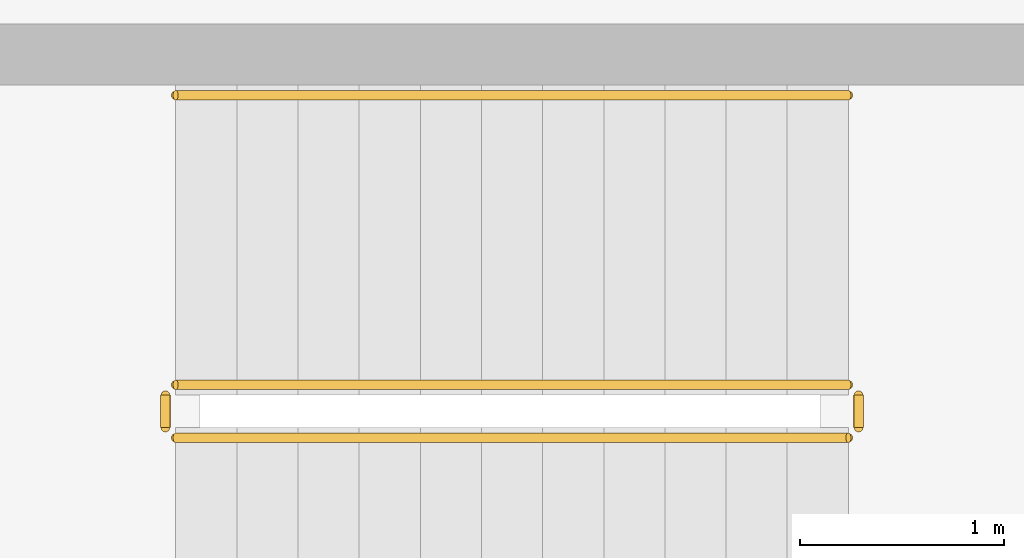
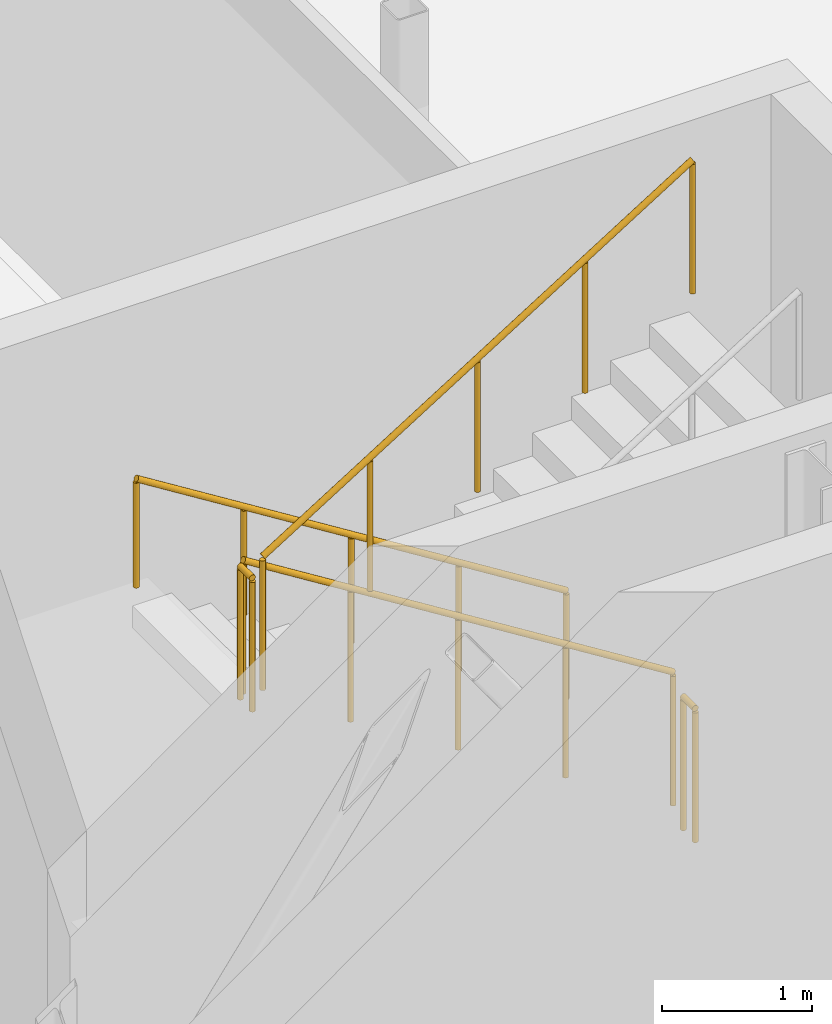
# One storey, part 83 of 100: 5 railings.
"""IFC4 building model written with IfcOpenShell, lengths in metres."""

from ifc_helpers import new_model, si_unit, direction, frame, origin, origin_2d, place, context, subcontext, project, spatial, circle, extrude, material, type_object, element, save


model = new_model("IFC4")

# Units and contexts
model_context = context("Model", 3, precision=1e-05, world=origin(), true_north=direction((0.0, 1.0)))
body_context = subcontext(model_context, "Body", "Model", "MODEL_VIEW")
ifc_project = project(units=[si_unit("LENGTHUNIT", "METRE"), si_unit("AREAUNIT", "SQUARE_METRE"), si_unit("VOLUMEUNIT", "CUBIC_METRE"), si_unit("PLANEANGLEUNIT", "RADIAN"), si_unit("MASSUNIT", "GRAM", prefix="KILO")], contexts=[model_context])

# Site, building, storey
site_placement = place(None, origin())
site = spatial("IfcSite", under=ifc_project, at=site_placement, CompositionType="ELEMENT")
building_placement = place(site_placement, origin())
building = spatial("IfcBuilding", under=site, at=building_placement, Name="Cymarion Research Institute", CompositionType="ELEMENT")
storey_placement = place(building_placement, frame((0.0, 0.0, 9.300048828125)))
storey = spatial("IfcBuildingStorey", under=building, at=storey_placement, Name="L02", CompositionType="ELEMENT", Elevation=9.300048828125)

# Railings
ifc_material = material(Name="Steel S355", Category="steel")
railing_type_1 = type_object("IfcRailingType", Name="PAINTED STEEL STAIR GUARDRAIL GR1 1100MM", PredefinedType="GUARDRAIL", material=ifc_material)
railing_1_placement = place(storey_placement, frame((62.60009765625, 7.929931640625, 0.1875)))
element("IfcRailing", 1, at=railing_1_placement, inside=storey, type_object=railing_type_1, Name="L02 ST3 stair guard 1", PredefinedType="GUARDRAIL", context=body_context, shape_type="SweptSolid", body=[
    extrude(circle(Radius=0.02392578125, at=origin_2d()), frame((0.0, 0.0, 1.076171875), z_axis=(-0.848001828478, 0.0, 0.529993300805), x_axis=(0.0, -1.0, 0.0)), (0.0, 0.0, 1.0), 3.8916015625),
    extrude(circle(Radius=0.02099609375, at=origin_2d()), origin(), (0.0, 0.0, 1.0), 1.052001953125),
    extrude(circle(Radius=0.02099609375, at=origin_2d()), frame((-0.824951171875, 0.0, 0.515625)), (0.0, 0.0, 1.0), 1.052001953125),
    extrude(circle(Radius=0.02099609375, at=origin_2d()), frame((-1.64990234375, 0.0, 1.03125)), (0.0, 0.0, 1.0), 1.052001953125),
    extrude(circle(Radius=0.02099609375, at=origin_2d()), frame((-2.47509765625, 0.0, 1.546875)), (0.0, 0.0, 1.0), 1.052001953125),
    extrude(circle(Radius=0.02099609375, at=origin_2d()), frame((-3.300048828125, 0.0, 2.0625)), (0.0, 0.0, 1.0), 1.052001953125),
])
railing_2_placement = place(storey_placement, frame((59.25, 7.8798828125, 2.25)))
element("IfcRailing", 2, at=railing_2_placement, inside=storey, type_object=railing_type_1, Name="L02 ST3 stair guard 2", PredefinedType="GUARDRAIL", context=body_context, shape_type="SweptSolid", body=[
    extrude(circle(Radius=0.02392578125, at=origin_2d()), frame((0.0, 0.0, 1.076171875), z_axis=(0.0, -1.0, 0.0), x_axis=(1.0, 0.0, 0.0)), (0.0, 0.0, 1.0), 0.159912109375),
    extrude(circle(Radius=0.02099609375, at=origin_2d()), origin(), (0.0, 0.0, 1.0), 1.052001953125),
    extrude(circle(Radius=0.02099609375, at=origin_2d()), frame((0.0, -0.159912109375, 0.0)), (0.0, 0.0, 1.0), 1.052001953125),
])
railing_3_placement = place(storey_placement, frame((59.300048828125, 7.669921875, 2.4375)))
element("IfcRailing", 3, at=railing_3_placement, inside=storey, type_object=railing_type_1, Name="L02 ST3 stair guard 3", PredefinedType="GUARDRAIL", context=body_context, shape_type="SweptSolid", body=[
    extrude(circle(Radius=0.02392578125, at=origin_2d()), frame((0.0, 0.0, 1.076171875), z_axis=(0.848001828478, 0.0, 0.529993300805), x_axis=(0.0, 1.0, 0.0)), (0.0, 0.0, 1.0), 3.8916015625),
    extrude(circle(Radius=0.02099609375, at=origin_2d()), origin(), (0.0, 0.0, 1.0), 1.052001953125),
    extrude(circle(Radius=0.02099609375, at=origin_2d()), frame((0.824951171875, 0.0, 0.515625)), (0.0, 0.0, 1.0), 1.052001953125),
    extrude(circle(Radius=0.02099609375, at=origin_2d()), frame((1.64990234375, 0.0, 1.03125)), (0.0, 0.0, 1.0), 1.052001953125),
    extrude(circle(Radius=0.02099609375, at=origin_2d()), frame((2.47509765625, 0.0, 1.546875)), (0.0, 0.0, 1.0), 1.052001953125),
    extrude(circle(Radius=0.02099609375, at=origin_2d()), frame((3.300048828125, 0.0, 2.0625)), (0.0, 0.0, 1.0), 1.052001953125),
])
railing_4_placement = place(storey_placement, frame((62.64990234375, 7.8798828125, 0.0)))
element("IfcRailing", 4, at=railing_4_placement, inside=storey, type_object=railing_type_1, Name="L02 ST3 stair guard 4", PredefinedType="GUARDRAIL", context=body_context, shape_type="SweptSolid", body=[
    extrude(circle(Radius=0.02392578125, at=origin_2d()), frame((0.0, 0.0, 1.076171875), z_axis=(0.0, -1.0, 0.0), x_axis=(1.0, 0.0, 0.0)), (0.0, 0.0, 1.0), 0.159912109375),
    extrude(circle(Radius=0.02099609375, at=origin_2d()), origin(), (0.0, 0.0, 1.0), 1.052001953125),
    extrude(circle(Radius=0.02099609375, at=origin_2d()), frame((0.0, -0.159912109375, 0.0)), (0.0, 0.0, 1.0), 1.052001953125),
])
railing_type_2 = type_object("IfcRailingType", Name="STAINLESS STEEL STAIR HANDRAIL HR1 900MM", PredefinedType="HANDRAIL", material=ifc_material)
railing_5_placement = place(storey_placement, frame((62.60009765625, 9.35009765625, 0.1875)))
element("IfcRailing", 5, at=railing_5_placement, inside=storey, type_object=railing_type_2, Name="L02 ST3 stair handrail 1", PredefinedType="HANDRAIL", context=body_context, shape_type="SweptSolid", body=[
    extrude(circle(Radius=0.02392578125, at=origin_2d()), frame((0.0, 0.0, 0.8759765625), z_axis=(-0.848001828478, 0.0, 0.529993300805), x_axis=(0.0, -1.0, 0.0)), (0.0, 0.0, 1.0), 3.8916015625),
    extrude(circle(Radius=0.02099609375, at=origin_2d()), origin(), (0.0, 0.0, 1.0), 0.851806640625),
    extrude(circle(Radius=0.02099609375, at=origin_2d()), frame((-0.824951171875, 0.0, 0.515625)), (0.0, 0.0, 1.0), 0.851806640625),
    extrude(circle(Radius=0.02099609375, at=origin_2d()), frame((-1.64990234375, 0.0, 1.03125)), (0.0, 0.0, 1.0), 0.851806640625),
    extrude(circle(Radius=0.02099609375, at=origin_2d()), frame((-2.47509765625, 0.0, 1.546875)), (0.0, 0.0, 1.0), 0.851806640625),
    extrude(circle(Radius=0.02099609375, at=origin_2d()), frame((-3.300048828125, 0.0, 2.0625)), (0.0, 0.0, 1.0), 0.851806640625),
])

save(model, "model.ifc")
